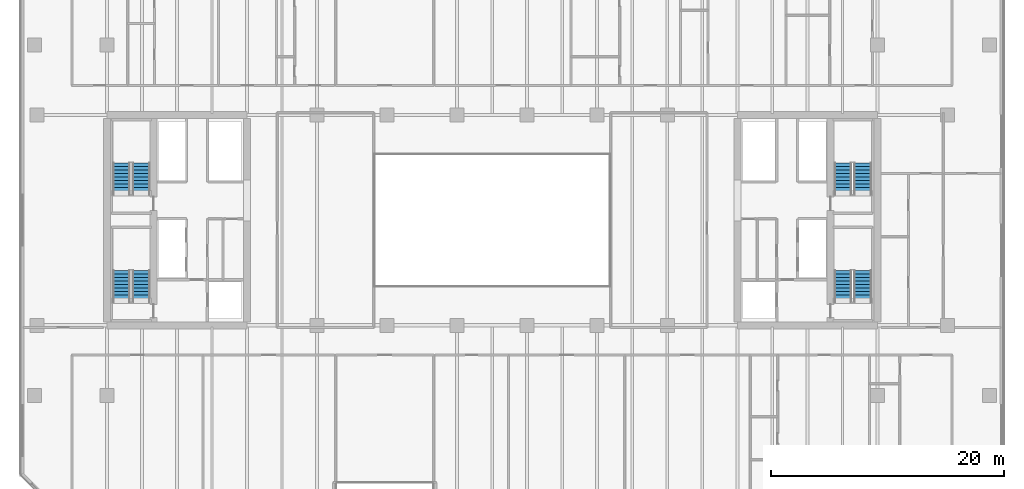
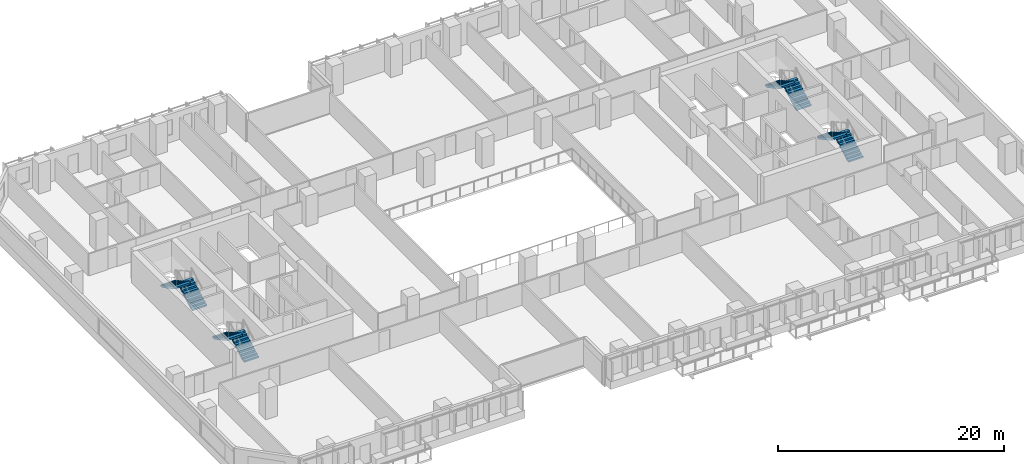
# One storey, part 16 of 25: 8 stair flights, 4 elements without a shape of their own.
"""IFC4 building model written with IfcOpenShell, lengths in metres."""

from ifc_helpers import new_model, si_unit, direction, frame, origin, place, context, subcontext, project, spatial, polyline, outline, extrude, material, type_object, element, aggregate, save


model = new_model("IFC4")

# Units and contexts
model_context = context("Model", 3, precision=1e-05, world=origin(), true_north=direction((0.0, 1.0)))
body_context = subcontext(model_context, "Body", "Model", "MODEL_VIEW")
ifc_project = project(units=[si_unit("LENGTHUNIT", "METRE"), si_unit("AREAUNIT", "SQUARE_METRE"), si_unit("VOLUMEUNIT", "CUBIC_METRE"), si_unit("PLANEANGLEUNIT", "RADIAN"), si_unit("MASSUNIT", "GRAM", prefix="KILO")], contexts=[model_context])

# Site, building, storey
site_placement = place(None, origin())
site = spatial("IfcSite", under=ifc_project, at=site_placement, CompositionType="ELEMENT")
building_placement = place(site_placement, origin())
building = spatial("IfcBuilding", under=site, at=building_placement, Name="Tanjung Sevakor Pilgrim Tower", CompositionType="ELEMENT")
storey_placement = place(building_placement, frame((0.0, 0.0, 42.239990234375)))
storey = spatial("IfcBuildingStorey", under=building, at=storey_placement, Name="L11", CompositionType="ELEMENT", Elevation=42.239990234375)

# Stair, stair flights
ifc_material_1 = material(Name="Concrete C40/50", Category="concrete")
stair_type = type_object("IfcStairType", Name="STAIR-ST-CR150", PredefinedType="HALF_TURN_STAIR", material=ifc_material_1)
stair_1_placement = place(storey_placement, origin())
stair_1 = element("IfcStair", 1, at=stair_1_placement, inside=storey, type_object=stair_type, Name="L11 West Core Exit Stair 1", PredefinedType="HALF_TURN_STAIR")
ifc_material_2 = material(Name="Concrete C40/50", Category="concrete")
stair_flight_type = type_object("IfcStairFlightType", Name="FLIGHT-ST-CR150", PredefinedType="STRAIGHT", material=ifc_material_2)
stair_flight_1_placement = place(storey_placement, frame((26.949951171875, 26.60009765625, 0.0), z_axis=(0.0, 0.0, 1.0), x_axis=(0.0, 1.0, 0.0)))
stair_flight_1 = element("IfcStairFlight", 2, at=stair_flight_1_placement, type_object=stair_flight_type, Name="TS-W1 flight 1", NumberOfRisers=10, NumberOfTreads=9, PredefinedType="STRAIGHT", RiserHeight=0.165, TreadLength=0.3, context=body_context, shape_type="SweptSolid", body=[
    extrude(outline(polyline([(0.0, 0.0), (0.0, 0.1650390625), (0.300048828125, 0.1650390625), (0.300048828125, 0.330078125), (0.60009765625, 0.330078125), (0.60009765625, 0.4951171875), (0.89990234375, 0.4951171875), (0.89990234375, 0.659912109375), (1.199951171875, 0.659912109375), (1.199951171875, 0.824951171875), (1.5, 0.824951171875), (1.5, 0.989990234375), (1.800048828125, 0.989990234375), (1.800048828125, 1.155029296875), (2.10009765625, 1.155029296875), (2.10009765625, 1.320068359375), (2.39990234375, 1.320068359375), (2.39990234375, 1.485107421875), (2.699951171875, 1.485107421875), (2.699951171875, 1.64990234375), (2.699951171875, 1.302490234375), (0.331787109375, 0.0), (0.0, 0.0)])), frame((0.0, 0.75, 0.0), z_axis=(0.0, -1.0, 0.0), x_axis=(1.0, 0.0, 0.0)), (0.0, 0.0, 1.0), 1.5),
])
stair_flight_2_placement = place(storey_placement, frame((25.25, 29.300048828125, 1.64990234375), z_axis=(0.0, 0.0, 1.0), x_axis=(0.0, -1.0, 0.0)))
stair_flight_2 = element("IfcStairFlight", 3, at=stair_flight_2_placement, type_object=stair_flight_type, Name="TS-W1 flight 2", NumberOfRisers=10, NumberOfTreads=9, PredefinedType="STRAIGHT", RiserHeight=0.165, TreadLength=0.3, context=body_context, shape_type="SweptSolid", body=[
    extrude(outline(polyline([(0.0, 0.0), (0.0, 0.1650390625), (0.300048828125, 0.1650390625), (0.300048828125, 0.330078125), (0.60009765625, 0.330078125), (0.60009765625, 0.4951171875), (0.89990234375, 0.4951171875), (0.89990234375, 0.659912109375), (1.199951171875, 0.659912109375), (1.199951171875, 0.824951171875), (1.5, 0.824951171875), (1.5, 0.989990234375), (1.800048828125, 0.989990234375), (1.800048828125, 1.155029296875), (2.10009765625, 1.155029296875), (2.10009765625, 1.320068359375), (2.39990234375, 1.320068359375), (2.39990234375, 1.485107421875), (2.699951171875, 1.485107421875), (2.699951171875, 1.64990234375), (2.699951171875, 1.302490234375), (0.331787109375, 0.0), (0.0, 0.0)])), frame((0.0, 0.75, 0.0), z_axis=(0.0, -1.0, 0.0), x_axis=(1.0, 0.0, 0.0)), (0.0, 0.0, 1.0), 1.5),
])
aggregate(stair_1, [stair_flight_1, stair_flight_2])

stair_2_placement = place(storey_placement, origin())
stair_2 = element("IfcStair", 4, at=stair_2_placement, inside=storey, type_object=stair_type, Name="L11 West Core Exit Stair 2", PredefinedType="HALF_TURN_STAIR")
stair_flight_3_placement = place(storey_placement, frame((26.949951171875, 35.800048828125, 0.0), z_axis=(0.0, 0.0, 1.0), x_axis=(0.0, 1.0, 0.0)))
stair_flight_3 = element("IfcStairFlight", 5, at=stair_flight_3_placement, type_object=stair_flight_type, Name="TS-W2 flight 1", NumberOfRisers=10, NumberOfTreads=9, PredefinedType="STRAIGHT", RiserHeight=0.165, TreadLength=0.3, context=body_context, shape_type="SweptSolid", body=[
    extrude(outline(polyline([(0.0, 0.0), (0.0, 0.1650390625), (0.300048828125, 0.1650390625), (0.300048828125, 0.330078125), (0.60009765625, 0.330078125), (0.60009765625, 0.4951171875), (0.89990234375, 0.4951171875), (0.89990234375, 0.659912109375), (1.199951171875, 0.659912109375), (1.199951171875, 0.824951171875), (1.5, 0.824951171875), (1.5, 0.989990234375), (1.800048828125, 0.989990234375), (1.800048828125, 1.155029296875), (2.10009765625, 1.155029296875), (2.10009765625, 1.320068359375), (2.39990234375, 1.320068359375), (2.39990234375, 1.485107421875), (2.699951171875, 1.485107421875), (2.699951171875, 1.64990234375), (2.699951171875, 1.302490234375), (0.331787109375, 0.0), (0.0, 0.0)])), frame((0.0, 0.75, 0.0), z_axis=(0.0, -1.0, 0.0), x_axis=(1.0, 0.0, 0.0)), (0.0, 0.0, 1.0), 1.5),
])
stair_flight_4_placement = place(storey_placement, frame((25.25, 38.5, 1.64990234375), z_axis=(0.0, 0.0, 1.0), x_axis=(0.0, -1.0, 0.0)))
stair_flight_4 = element("IfcStairFlight", 6, at=stair_flight_4_placement, type_object=stair_flight_type, Name="TS-W2 flight 2", NumberOfRisers=10, NumberOfTreads=9, PredefinedType="STRAIGHT", RiserHeight=0.165, TreadLength=0.3, context=body_context, shape_type="SweptSolid", body=[
    extrude(outline(polyline([(0.0, 0.0), (0.0, 0.1650390625), (0.300048828125, 0.1650390625), (0.300048828125, 0.330078125), (0.60009765625, 0.330078125), (0.60009765625, 0.4951171875), (0.89990234375, 0.4951171875), (0.89990234375, 0.659912109375), (1.199951171875, 0.659912109375), (1.199951171875, 0.824951171875), (1.5, 0.824951171875), (1.5, 0.989990234375), (1.800048828125, 0.989990234375), (1.800048828125, 1.155029296875), (2.10009765625, 1.155029296875), (2.10009765625, 1.320068359375), (2.39990234375, 1.320068359375), (2.39990234375, 1.485107421875), (2.699951171875, 1.485107421875), (2.699951171875, 1.64990234375), (2.699951171875, 1.302490234375), (0.331787109375, 0.0), (0.0, 0.0)])), frame((0.0, 0.75, 0.0), z_axis=(0.0, -1.0, 0.0), x_axis=(1.0, 0.0, 0.0)), (0.0, 0.0, 1.0), 1.5),
])
aggregate(stair_2, [stair_flight_3, stair_flight_4])

stair_3_placement = place(storey_placement, origin())
stair_3 = element("IfcStair", 7, at=stair_3_placement, inside=storey, type_object=stair_type, Name="L11 East Core Exit Stair 1", PredefinedType="HALF_TURN_STAIR")
stair_flight_5_placement = place(storey_placement, frame((88.75, 26.60009765625, 0.0), z_axis=(0.0, 0.0, 1.0), x_axis=(0.0, 1.0, 0.0)))
stair_flight_5 = element("IfcStairFlight", 8, at=stair_flight_5_placement, type_object=stair_flight_type, Name="TS-E1 flight 1", NumberOfRisers=10, NumberOfTreads=9, PredefinedType="STRAIGHT", RiserHeight=0.165, TreadLength=0.3, context=body_context, shape_type="SweptSolid", body=[
    extrude(outline(polyline([(0.0, 0.0), (0.0, 0.1650390625), (0.300048828125, 0.1650390625), (0.300048828125, 0.330078125), (0.60009765625, 0.330078125), (0.60009765625, 0.4951171875), (0.89990234375, 0.4951171875), (0.89990234375, 0.659912109375), (1.199951171875, 0.659912109375), (1.199951171875, 0.824951171875), (1.5, 0.824951171875), (1.5, 0.989990234375), (1.800048828125, 0.989990234375), (1.800048828125, 1.155029296875), (2.10009765625, 1.155029296875), (2.10009765625, 1.320068359375), (2.39990234375, 1.320068359375), (2.39990234375, 1.485107421875), (2.699951171875, 1.485107421875), (2.699951171875, 1.64990234375), (2.699951171875, 1.302490234375), (0.331787109375, 0.0), (0.0, 0.0)])), frame((0.0, 0.75, 0.0), z_axis=(0.0, -1.0, 0.0), x_axis=(1.0, 0.0, 0.0)), (0.0, 0.0, 1.0), 1.5),
])
stair_flight_6_placement = place(storey_placement, frame((87.050048828125, 29.300048828125, 1.64990234375), z_axis=(0.0, 0.0, 1.0), x_axis=(0.0, -1.0, 0.0)))
stair_flight_6 = element("IfcStairFlight", 9, at=stair_flight_6_placement, type_object=stair_flight_type, Name="TS-E1 flight 2", NumberOfRisers=10, NumberOfTreads=9, PredefinedType="STRAIGHT", RiserHeight=0.165, TreadLength=0.3, context=body_context, shape_type="SweptSolid", body=[
    extrude(outline(polyline([(0.0, 0.0), (0.0, 0.1650390625), (0.300048828125, 0.1650390625), (0.300048828125, 0.330078125), (0.60009765625, 0.330078125), (0.60009765625, 0.4951171875), (0.89990234375, 0.4951171875), (0.89990234375, 0.659912109375), (1.199951171875, 0.659912109375), (1.199951171875, 0.824951171875), (1.5, 0.824951171875), (1.5, 0.989990234375), (1.800048828125, 0.989990234375), (1.800048828125, 1.155029296875), (2.10009765625, 1.155029296875), (2.10009765625, 1.320068359375), (2.39990234375, 1.320068359375), (2.39990234375, 1.485107421875), (2.699951171875, 1.485107421875), (2.699951171875, 1.64990234375), (2.699951171875, 1.302490234375), (0.331787109375, 0.0), (0.0, 0.0)])), frame((0.0, 0.75, 0.0), z_axis=(0.0, -1.0, 0.0), x_axis=(1.0, 0.0, 0.0)), (0.0, 0.0, 1.0), 1.5),
])
aggregate(stair_3, [stair_flight_5, stair_flight_6])

stair_4_placement = place(storey_placement, origin())
stair_4 = element("IfcStair", 10, at=stair_4_placement, inside=storey, type_object=stair_type, Name="L11 East Core Exit Stair 2", PredefinedType="HALF_TURN_STAIR")
stair_flight_7_placement = place(storey_placement, frame((88.75, 35.800048828125, 0.0), z_axis=(0.0, 0.0, 1.0), x_axis=(0.0, 1.0, 0.0)))
stair_flight_7 = element("IfcStairFlight", 11, at=stair_flight_7_placement, type_object=stair_flight_type, Name="TS-E2 flight 1", NumberOfRisers=10, NumberOfTreads=9, PredefinedType="STRAIGHT", RiserHeight=0.165, TreadLength=0.3, context=body_context, shape_type="SweptSolid", body=[
    extrude(outline(polyline([(0.0, 0.0), (0.0, 0.1650390625), (0.300048828125, 0.1650390625), (0.300048828125, 0.330078125), (0.60009765625, 0.330078125), (0.60009765625, 0.4951171875), (0.89990234375, 0.4951171875), (0.89990234375, 0.659912109375), (1.199951171875, 0.659912109375), (1.199951171875, 0.824951171875), (1.5, 0.824951171875), (1.5, 0.989990234375), (1.800048828125, 0.989990234375), (1.800048828125, 1.155029296875), (2.10009765625, 1.155029296875), (2.10009765625, 1.320068359375), (2.39990234375, 1.320068359375), (2.39990234375, 1.485107421875), (2.699951171875, 1.485107421875), (2.699951171875, 1.64990234375), (2.699951171875, 1.302490234375), (0.331787109375, 0.0), (0.0, 0.0)])), frame((0.0, 0.75, 0.0), z_axis=(0.0, -1.0, 0.0), x_axis=(1.0, 0.0, 0.0)), (0.0, 0.0, 1.0), 1.5),
])
stair_flight_8_placement = place(storey_placement, frame((87.050048828125, 38.5, 1.64990234375), z_axis=(0.0, 0.0, 1.0), x_axis=(0.0, -1.0, 0.0)))
stair_flight_8 = element("IfcStairFlight", 12, at=stair_flight_8_placement, type_object=stair_flight_type, Name="TS-E2 flight 2", NumberOfRisers=10, NumberOfTreads=9, PredefinedType="STRAIGHT", RiserHeight=0.165, TreadLength=0.3, context=body_context, shape_type="SweptSolid", body=[
    extrude(outline(polyline([(0.0, 0.0), (0.0, 0.1650390625), (0.300048828125, 0.1650390625), (0.300048828125, 0.330078125), (0.60009765625, 0.330078125), (0.60009765625, 0.4951171875), (0.89990234375, 0.4951171875), (0.89990234375, 0.659912109375), (1.199951171875, 0.659912109375), (1.199951171875, 0.824951171875), (1.5, 0.824951171875), (1.5, 0.989990234375), (1.800048828125, 0.989990234375), (1.800048828125, 1.155029296875), (2.10009765625, 1.155029296875), (2.10009765625, 1.320068359375), (2.39990234375, 1.320068359375), (2.39990234375, 1.485107421875), (2.699951171875, 1.485107421875), (2.699951171875, 1.64990234375), (2.699951171875, 1.302490234375), (0.331787109375, 0.0), (0.0, 0.0)])), frame((0.0, 0.75, 0.0), z_axis=(0.0, -1.0, 0.0), x_axis=(1.0, 0.0, 0.0)), (0.0, 0.0, 1.0), 1.5),
])
aggregate(stair_4, [stair_flight_7, stair_flight_8])

save(model, "model.ifc")
